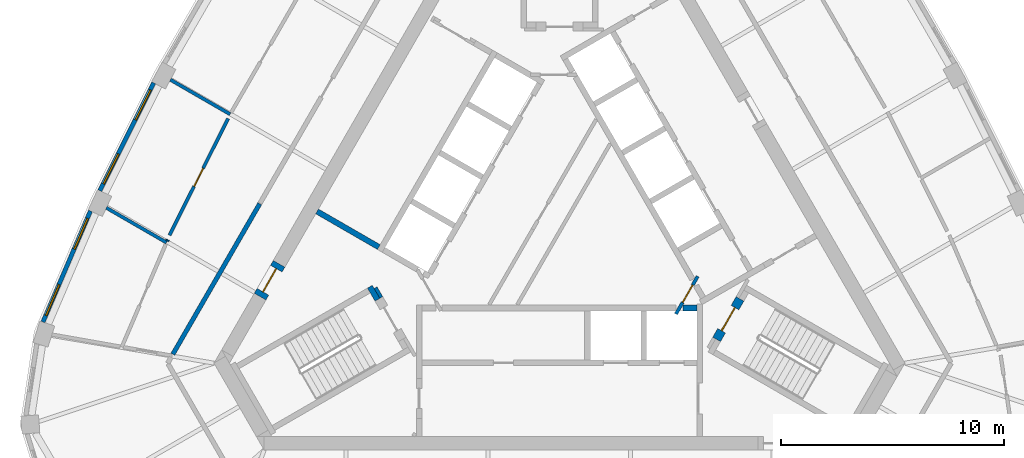
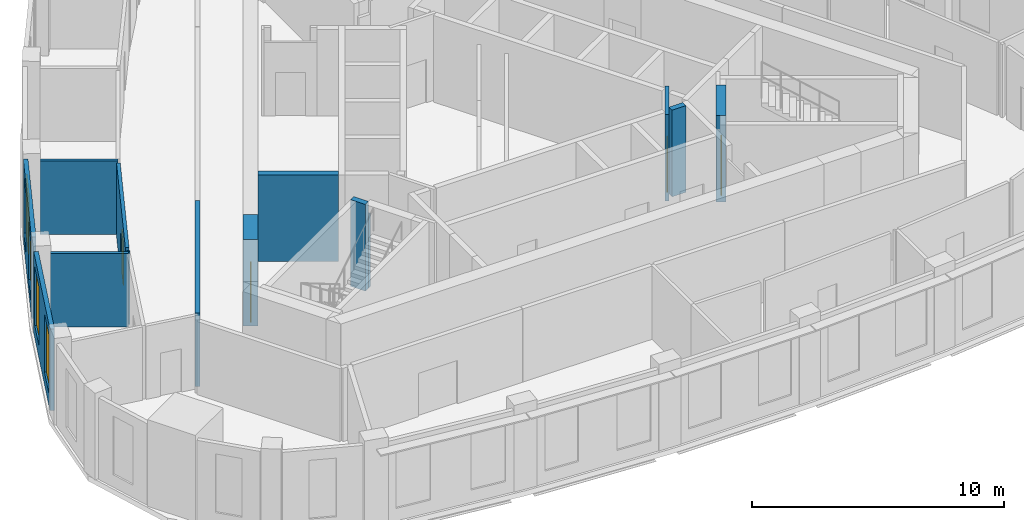
# One storey, part 4 of 10: 14 walls, 4 doors, 4 windows, 8 openings.
"""IFC4 building model written with IfcOpenShell, lengths in metres."""

import ifcopenshell
import ifcopenshell.guid

model = None  # the IFC model being written
_history = None  # IfcOwnerHistory: only IFC2X3 demands one
_inside = {}  # id of a spatial element -> (the spatial element, [elements in it])
_under = {}  # id of a project, library or spatial element -> (it, [spatial elements below it])
_declared = {}  # id of a project -> (the project, [libraries it declares])
_typed = {}  # id of a type object -> (the type object, [elements of that type])
_made_of = {}  # id of a material, layer set ... -> (it, [elements and type objects made of it])


def new_model(schema):
    """Start an empty IFC model of exactly this schema.

    Asked for "IFC4X3", IfcOpenShell would pick the latest addendum, in which some entities
    have other attributes; the version numbers below select the first issue.
    IFC2X3 requires an IfcOwnerHistory on every rooted entity: one is made here for all.
    """
    global model, _history
    if schema == "IFC4X3":
        model = ifcopenshell.file(schema_version=(4, 3, 0, 0))
    else:
        model = ifcopenshell.file(schema=schema)
    _inside.clear()
    _under.clear()
    _declared.clear()
    _typed.clear()
    _made_of.clear()
    _history = None
    if model.schema == "IFC2X3":
        org = make("IfcOrganization", Name="unknown")
        user = make(
            "IfcPersonAndOrganization",
            ThePerson=make("IfcPerson", FamilyName="unknown"),
            TheOrganization=org,
        )
        app = make(
            "IfcApplication",
            ApplicationDeveloper=org,
            Version="unknown",
            ApplicationFullName="unknown",
            ApplicationIdentifier="unknown",
        )
        _history = make(
            "IfcOwnerHistory",
            OwningUser=user,
            OwningApplication=app,
            ChangeAction="ADDED",
            CreationDate=0,
        )
    return model


def make(cls, **values):
    """One entity of the class cls with the attributes given. An attribute that is None is left unset."""
    return model.create_entity(
        cls, **{name: value for name, value in values.items() if value is not None}
    )


def rooted(cls, **values):
    """An entity with a GlobalId (a new one), such as an element, a storey or a relation."""
    return make(cls, GlobalId=ifcopenshell.guid.new(), OwnerHistory=_history, **values)


def si_unit(unit_type, name, prefix=None):
    """IfcSIUnit, for example si_unit("LENGTHUNIT", "METRE", prefix="MILLI")."""
    return make("IfcSIUnit", UnitType=unit_type, Prefix=prefix, Name=name)


def assignment(units):
    """IfcUnitAssignment: the units of a project."""
    return None if units is None else make("IfcUnitAssignment", Units=units)


def point(xyz):
    """IfcCartesianPoint."""
    return None if xyz is None else make("IfcCartesianPoint", Coordinates=xyz)


def direction(xyz):
    """IfcDirection."""
    return None if xyz is None else make("IfcDirection", DirectionRatios=xyz)


def frame(location, z_axis=None, x_axis=None):
    """IfcAxis2Placement3D, a coordinate frame: its origin and axes. An axis left out is left unset."""
    return make(
        "IfcAxis2Placement3D",
        Location=point(location),
        Axis=direction(z_axis),
        RefDirection=direction(x_axis),
    )


def frame_2d(location, x_axis=None):
    """IfcAxis2Placement2D, a coordinate frame in the plane: its origin and x axis."""
    return make(
        "IfcAxis2Placement2D", Location=point(location), RefDirection=direction(x_axis)
    )


def origin():
    """The frame at (0, 0, 0) with its axes left unset."""
    return frame((0.0, 0.0, 0.0))


def place(relative_to, where):
    """IfcLocalPlacement: puts the frame where relative to a parent placement (None: the world)."""
    return make(
        "IfcLocalPlacement", PlacementRelTo=relative_to, RelativePlacement=where
    )


def context(
    kind, dimensions, precision=None, world=None, true_north=None, identifier=None
):
    """IfcGeometricRepresentationContext, for example the 3D "Model" context."""
    return make(
        "IfcGeometricRepresentationContext",
        ContextIdentifier=identifier,
        ContextType=kind,
        CoordinateSpaceDimension=dimensions,
        Precision=precision,
        WorldCoordinateSystem=world,
        TrueNorth=true_north,
    )


def subcontext(parent, identifier, kind, view, scale=None):
    """IfcGeometricRepresentationSubContext, for example "Body" below "Model"."""
    return make(
        "IfcGeometricRepresentationSubContext",
        ContextIdentifier=identifier,
        ContextType=kind,
        ParentContext=parent,
        TargetScale=scale,
        TargetView=view,
    )


def project(units=None, contexts=None):
    """IfcProject with its units and contexts."""
    return rooted(
        "IfcProject",
        Name="project",
        RepresentationContexts=contexts,
        UnitsInContext=assignment(units),
    )


def spatial(cls, under=None, at=None, **own):
    """A site, building, storey or space (cls), placed at a placement, below another one or the project."""
    s = rooted(cls, ObjectPlacement=at, **own)
    if under is not None:
        _under.setdefault(under.id(), (under, []))[1].append(s)
    return s


def profile(cls, at=None, kind="AREA", **sizes):
    """A parametric profile (cls). Its sizes go by their IFC names, for example OverallWidth=200.0."""
    return make(cls, ProfileType=kind, Position=at, **sizes)


def rectangle(**sizes):
    """IfcRectangleProfileDef."""
    return profile("IfcRectangleProfileDef", **sizes)


def extrude(swept, where, along, depth):
    """IfcExtrudedAreaSolid: the profile swept, set in the frame where, extruded along a direction by depth."""
    return make(
        "IfcExtrudedAreaSolid",
        SweptArea=swept,
        Position=where,
        ExtrudedDirection=direction(along),
        Depth=depth,
    )


def shape(context_of_items, identifier, shape_type, items):
    """IfcShapeRepresentation: the items that make up one representation, for example the "Body"."""
    return make(
        "IfcShapeRepresentation",
        ContextOfItems=context_of_items,
        RepresentationIdentifier=identifier,
        RepresentationType=shape_type,
        Items=items,
    )


def material(Name=None, Category=None):
    """IfcMaterial."""
    return make("IfcMaterial", Name=Name, Category=Category)


def layer(
    of_material, thickness, ventilated=None, Name=None, Category=None, Priority=None
):
    """IfcMaterialLayer: one layer of a wall or slab, of a material (None: an air gap)."""
    return make(
        "IfcMaterialLayer",
        Material=of_material,
        LayerThickness=thickness,
        IsVentilated=ventilated,
        Name=Name,
        Category=Category,
        Priority=Priority,
    )


def layer_set(layers, Name=None):
    """IfcMaterialLayerSet."""
    return make("IfcMaterialLayerSet", MaterialLayers=layers, LayerSetName=Name)


def made_of(thing, what):
    """Note that an element or type object is made of a material, layer set ...; save() writes the relation."""
    if what is not None:
        _made_of.setdefault(what.id(), (what, []))[1].append(thing)
    return thing


def type_object(cls, material=None, **own):
    """A type object (cls), such as IfcWallType, which elements share."""
    return made_of(rooted(cls, **own), material)


def element(
    cls,
    number,
    at=None,
    inside=None,
    cuts=None,
    type_object=None,
    material=None,
    context=None,
    identifier="Body",
    shape_type=None,
    held_by="IfcProductDefinitionShape",
    body=None,
    shapes=None,
    **own,
):
    """One element of the class cls, such as IfcWall. Its Tag is "e" and its number.

    at: its placement. inside: the storey or other place that contains it. cuts: it is an
    opening in that element (IfcRelVoidsElement). A single representation is given by context,
    identifier, shape_type and body (its items); several are given by shapes. held_by: the class
    of the entity that holds the representations. save() writes the other relations.
    """
    e = rooted(cls, Tag="e%d" % number, ObjectPlacement=at, **own)
    if body is not None:
        shapes = [shape(context, identifier, shape_type, body)]
    if shapes is not None:
        e.Representation = make(held_by, Representations=shapes)
    if inside is not None:
        _inside.setdefault(inside.id(), (inside, []))[1].append(e)
    if cuts is not None:
        rooted(
            "IfcRelVoidsElement", RelatingBuildingElement=cuts, RelatedOpeningElement=e
        )
    if type_object is not None:
        _typed.setdefault(type_object.id(), (type_object, []))[1].append(e)
    return made_of(e, material)


def fill(opening, filler):
    """IfcRelFillsElement: the door or window that sits in an opening."""
    return rooted(
        "IfcRelFillsElement",
        RelatingOpeningElement=opening,
        RelatedBuildingElement=filler,
    )


def aggregate(whole, parts):
    """IfcRelAggregates: a whole, such as a stair, and the parts it consists of."""
    return rooted("IfcRelAggregates", RelatingObject=whole, RelatedObjects=parts)


def save(model, path):
    """Write the relations noted so far, then the file.

    IfcRelAggregates (storeys below a building ...), IfcRelContainedInSpatialStructure (elements
    in a storey), IfcRelDefinesByType, IfcRelAssociatesMaterial and IfcRelDeclares: one each for
    every whole, place, type object, material and project.
    """
    for whole, parts in _under.values():
        aggregate(whole, parts)
    for where, things in _inside.values():
        rooted(
            "IfcRelContainedInSpatialStructure",
            RelatedElements=things,
            RelatingStructure=where,
        )
    for kind, things in _typed.values():
        rooted("IfcRelDefinesByType", RelatedObjects=things, RelatingType=kind)
    for what, things in _made_of.values():
        rooted("IfcRelAssociatesMaterial", RelatedObjects=things, RelatingMaterial=what)
    for by, libraries in _declared.values():
        rooted("IfcRelDeclares", RelatingContext=by, RelatedDefinitions=libraries)
    model.write(path)


model = new_model("IFC4")

# Units and contexts
model_context = context("Model", 3, precision=1e-05, world=origin(), true_north=direction((0.0, 1.0)))
body_context = subcontext(model_context, "Body", "Model", "MODEL_VIEW")
ifc_project = project(units=[si_unit("LENGTHUNIT", "METRE"), si_unit("AREAUNIT", "SQUARE_METRE"), si_unit("VOLUMEUNIT", "CUBIC_METRE"), si_unit("PLANEANGLEUNIT", "RADIAN"), si_unit("MASSUNIT", "GRAM", prefix="KILO")], contexts=[model_context])

# Site, building, storey
site_placement = place(None, origin())
site = spatial("IfcSite", under=ifc_project, at=site_placement, CompositionType="ELEMENT")
building_placement = place(site_placement, origin())
building = spatial("IfcBuilding", under=site, at=building_placement, Name="Mestral Congress Tower", CompositionType="ELEMENT")
storey_placement = place(building_placement, frame((0.0, 0.0, 300.60009765625)))
storey = spatial("IfcBuildingStorey", under=building, at=storey_placement, Name="L70", CompositionType="ELEMENT", Elevation=300.60009765625)

# Wall
ifc_material_1 = material(Name="Fire-rated board partition")
ifc_layer_1 = layer(ifc_material_1, 0.14990234375)
ifc_layer_set_1 = layer_set([ifc_layer_1], Name="Fire-rated board partition")
wall_type_1 = type_object("IfcWallType", Name="Core partition 150", PredefinedType="PARTITIONING", material=ifc_layer_set_1)
wall_1_placement = place(storey_placement, frame((-8.251953125, -2.958251953125, 0.0), z_axis=(0.0, 0.0, 1.0), x_axis=(0.500174715838, -0.865924508047, 0.0)))
element("IfcWall", 1, at=wall_1_placement, inside=storey, type_object=wall_type_1, Name="L70 core wall", PredefinedType="PARTITIONING", context=body_context, shape_type="SweptSolid", body=[
    extrude(rectangle(XDim=0.513916015625, YDim=0.14990234375, at=frame_2d((0.2568359375, 0.0))), origin(), (0.0, 0.0, 1.0), 3.5498046875),
])

# Wall, opening, door
ifc_material_2 = material(Name="Concrete C60/75", Category="concrete")
ifc_layer_2 = layer(ifc_material_2, 0.60009765625)
ifc_layer_set_2 = layer_set([ifc_layer_2], Name="Concrete C60/75")
wall_type_2 = type_object("IfcWallType", Name="Core wall RC 600", PredefinedType="SOLIDWALL", material=ifc_layer_set_2)
wall_2_placement = place(storey_placement, frame((-13.431640625, -3.3642578125, 0.0), z_axis=(0.0, 0.0, 1.0), x_axis=(0.500062241894, 0.865989465428, 0.0)))
wall_2 = element("IfcWall", 2, at=wall_2_placement, inside=storey, type_object=wall_type_2, Name="L70 door wall", PredefinedType="SOLIDWALL", context=body_context, shape_type="SweptSolid", body=[
    extrude(rectangle(XDim=1.699951171875, YDim=0.60009765625, at=frame_2d((0.85009765625, 0.0))), origin(), (0.0, 0.0, 1.0), 4.199951171875),
])
opening_1_placement = place(wall_2_placement, frame((0.25, 0.0, 0.0)))
opening_1 = element("IfcOpeningElement", 3, at=opening_1_placement, cuts=wall_2, Name="Opening XD3", PredefinedType="OPENING", context=body_context, shape_type="SweptSolid", body=[
    extrude(rectangle(XDim=1.199951171875, YDim=2.10009765625, at=frame_2d((0.60009765625, 1.050048828125))), frame((0.0, 0.31005859375, 0.0), z_axis=(0.0, -1.0, 0.0), x_axis=(1.0, 0.0, 0.0)), (0.0, 0.0, 1.0), 0.6201171875),
])
ifc_material_3 = material(Name="Fire-rated steel door set", Category="steel")
door_type_1 = type_object("IfcDoorType", Name="Core door XD 1200x2100", OperationType="SINGLE_SWING_LEFT", PredefinedType="DOOR", material=ifc_material_3)
door_1_placement = place(opening_1_placement, origin())
door_1 = element("IfcDoor", 4, at=door_1_placement, inside=storey, type_object=door_type_1, Name="Door XD3", OperationType="SINGLE_SWING_LEFT", OverallHeight=2.10009765625, OverallWidth=1.199951171875, PredefinedType="DOOR", context=body_context, shape_type="SweptSolid", body=[
    extrude(rectangle(XDim=1.199951171875, YDim=2.10009765625, at=frame_2d((0.60009765625, 1.050048828125))), frame((0.0, 0.02490234375, 0.0), z_axis=(0.0, -1.0, 0.0), x_axis=(1.0, 0.0, 0.0)), (0.0, 0.0, 1.0), 0.050048828125),
])
fill(opening_1, door_1)

# Wall, openings, windows
ifc_material_4 = material(Name="Precast concrete C40/50 with limestone facing", Category="masonry")
ifc_layer_3 = layer(ifc_material_4, 0.18994140625)
ifc_layer_set_3 = layer_set([ifc_layer_3], Name="Precast concrete C40/50 with limestone facing")
wall_type_3 = type_object("IfcWallType", Name="Facade stone wall 190", PredefinedType="SOLIDWALL", material=ifc_layer_set_3)
wall_3_placement = place(storey_placement, frame((-18.205810546875, 6.226806640625, 0.0), z_axis=(0.0, 0.0, 1.0), x_axis=(-0.447484531401, -0.894291671747, 0.0)))
wall_3 = element("IfcWall", 5, at=wall_3_placement, inside=storey, type_object=wall_type_3, Name="Facade wall F2-03", PredefinedType="SOLIDWALL", context=body_context, shape_type="SweptSolid", body=[
    extrude(rectangle(XDim=5.40625, YDim=0.18994140625, at=frame_2d((2.703125, 0.0))), origin(), (0.0, 0.0, 1.0), 3.949951171875),
])
opening_2_placement = place(wall_3_placement, frame((0.346435546875, 0.0, 0.60009765625)))
opening_2 = element("IfcOpeningElement", 6, at=opening_2_placement, cuts=wall_3, Name="Opening W6", PredefinedType="OPENING", context=body_context, shape_type="SweptSolid", body=[
    extrude(rectangle(XDim=1.5, YDim=2.85009765625, at=frame_2d((0.75, 1.425048828125))), frame((0.0, 0.10498046875, 0.0), z_axis=(0.0, -1.0, 0.0), x_axis=(1.0, 0.0, 0.0)), (0.0, 0.0, 1.0), 0.2099609375),
])
opening_3_placement = place(wall_3_placement, frame((3.559326171875, 0.0, 0.60009765625)))
opening_3 = element("IfcOpeningElement", 7, at=opening_3_placement, cuts=wall_3, Name="Opening W6", PredefinedType="OPENING", context=body_context, shape_type="SweptSolid", body=[
    extrude(rectangle(XDim=1.5, YDim=2.85009765625, at=frame_2d((0.75, 1.425048828125))), frame((0.0, 0.10498046875, 0.0), z_axis=(0.0, -1.0, 0.0), x_axis=(1.0, 0.0, 0.0)), (0.0, 0.0, 1.0), 0.2099609375),
])
ifc_material_5 = material(Name="Clear low-emissivity double glazing", Category="glass")
window_type = type_object("IfcWindowType", Name="Facade punched window 1500 x 2850 sill 600", PartitioningType="SINGLE_PANEL", PredefinedType="WINDOW", material=ifc_material_5)
window_1_placement = place(opening_2_placement, origin())
window_1 = element("IfcWindow", 8, at=window_1_placement, inside=storey, type_object=window_type, Name="Window F2-03a", OverallHeight=2.85009765625, OverallWidth=1.5, PartitioningType="SINGLE_PANEL", PredefinedType="WINDOW", context=body_context, shape_type="SweptSolid", body=[
    extrude(rectangle(XDim=1.5, YDim=2.85009765625, at=frame_2d((0.75, 1.425048828125))), frame((0.0, 0.044921875, 0.0), z_axis=(0.0, -1.0, 0.0), x_axis=(1.0, 0.0, 0.0)), (0.0, 0.0, 1.0), 0.06005859375),
])
fill(opening_2, window_1)
window_2_placement = place(opening_3_placement, origin())
window_2 = element("IfcWindow", 9, at=window_2_placement, inside=storey, type_object=window_type, Name="Window F2-03b", OverallHeight=2.85009765625, OverallWidth=1.5, PartitioningType="SINGLE_PANEL", PredefinedType="WINDOW", context=body_context, shape_type="SweptSolid", body=[
    extrude(rectangle(XDim=1.5, YDim=2.85009765625, at=frame_2d((0.75, 1.425048828125))), frame((0.0, 0.044921875, 0.0), z_axis=(0.0, -1.0, 0.0), x_axis=(1.0, 0.0, 0.0)), (0.0, 0.0, 1.0), 0.06005859375),
])
fill(opening_3, window_2)

wall_4_placement = place(storey_placement, frame((-21.048828125, 0.477783203125, 0.0), z_axis=(0.0, 0.0, 1.0), x_axis=(-0.393347848476, -0.919389726992, 0.0)))
wall_4 = element("IfcWall", 10, at=wall_4_placement, inside=storey, type_object=wall_type_3, Name="Facade wall F2-04", PredefinedType="SOLIDWALL", context=body_context, shape_type="SweptSolid", body=[
    extrude(rectangle(XDim=5.414794921875, YDim=0.18994140625, at=frame_2d((2.70751953125, 0.0))), origin(), (0.0, 0.0, 1.0), 3.949951171875),
])
opening_4_placement = place(wall_4_placement, frame((0.357421875, 0.0, 0.60009765625)))
opening_4 = element("IfcOpeningElement", 11, at=opening_4_placement, cuts=wall_4, Name="Opening W6", PredefinedType="OPENING", context=body_context, shape_type="SweptSolid", body=[
    extrude(rectangle(XDim=1.5, YDim=2.85009765625, at=frame_2d((0.75, 1.425048828125))), frame((0.0, 0.10498046875, 0.0), z_axis=(0.0, -1.0, 0.0), x_axis=(1.0, 0.0, 0.0)), (0.0, 0.0, 1.0), 0.2099609375),
])
opening_5_placement = place(wall_4_placement, frame((3.592529296875, 0.0, 0.60009765625)))
opening_5 = element("IfcOpeningElement", 12, at=opening_5_placement, cuts=wall_4, Name="Opening W6", PredefinedType="OPENING", context=body_context, shape_type="SweptSolid", body=[
    extrude(rectangle(XDim=1.5, YDim=2.85009765625, at=frame_2d((0.75, 1.425048828125))), frame((0.0, 0.10498046875, 0.0), z_axis=(0.0, -1.0, 0.0), x_axis=(1.0, 0.0, 0.0)), (0.0, 0.0, 1.0), 0.2099609375),
])
window_3_placement = place(opening_4_placement, origin())
window_3 = element("IfcWindow", 13, at=window_3_placement, inside=storey, type_object=window_type, Name="Window F2-04a", OverallHeight=2.85009765625, OverallWidth=1.5, PartitioningType="SINGLE_PANEL", PredefinedType="WINDOW", context=body_context, shape_type="SweptSolid", body=[
    extrude(rectangle(XDim=1.5, YDim=2.85009765625, at=frame_2d((0.75, 1.425048828125))), frame((0.0, 0.044921875, 0.0), z_axis=(0.0, -1.0, 0.0), x_axis=(1.0, 0.0, 0.0)), (0.0, 0.0, 1.0), 0.06005859375),
])
fill(opening_4, window_3)
window_4_placement = place(opening_5_placement, origin())
window_4 = element("IfcWindow", 14, at=window_4_placement, inside=storey, type_object=window_type, Name="Window F2-04b", OverallHeight=2.85009765625, OverallWidth=1.5, PartitioningType="SINGLE_PANEL", PredefinedType="WINDOW", context=body_context, shape_type="SweptSolid", body=[
    extrude(rectangle(XDim=1.5, YDim=2.85009765625, at=frame_2d((0.75, 1.425048828125))), frame((0.0, 0.044921875, 0.0), z_axis=(0.0, -1.0, 0.0), x_axis=(1.0, 0.0, 0.0)), (0.0, 0.0, 1.0), 0.06005859375),
])
fill(opening_5, window_4)

# Walls
ifc_material_6 = material(Name="Plasterboard partition on steel studs", Category="steel")
ifc_layer_4 = layer(ifc_material_6, 0.14990234375)
ifc_layer_set_4 = layer_set([ifc_layer_4], Name="Plasterboard partition on steel studs")
wall_type_4 = type_object("IfcWallType", Name="Office partition 150", PredefinedType="PARTITIONING", material=ifc_layer_set_4)
wall_5_placement = place(storey_placement, frame((-14.77734375, 4.821533203125, 0.0), z_axis=(0.0, 0.0, 1.0), x_axis=(-0.865992557167, 0.500056887695, 0.0)))
element("IfcWall", 15, at=wall_5_placement, inside=storey, type_object=wall_type_4, Name="Partition", PredefinedType="PARTITIONING", context=body_context, shape_type="SweptSolid", body=[
    extrude(rectangle(XDim=3.096435546875, YDim=0.14990234375, at=frame_2d((1.54833984375, 0.0))), origin(), (0.0, 0.0, 1.0), 3.5498046875),
])
wall_6_placement = place(storey_placement, frame((-17.634521484375, -0.935546875, 0.0), z_axis=(0.0, 0.0, 1.0), x_axis=(-0.866044607523, 0.499966736674, 0.0)))
element("IfcWall", 16, at=wall_6_placement, inside=storey, type_object=wall_type_4, Name="Partition", PredefinedType="PARTITIONING", context=body_context, shape_type="SweptSolid", body=[
    extrude(rectangle(XDim=3.114501953125, YDim=0.14990234375, at=frame_2d((1.55712890625, 0.0))), origin(), (0.0, 0.0, 1.0), 3.5498046875),
])

# Wall, opening, door
wall_7_placement = place(storey_placement, frame((-17.49658203125, -0.61328125, 0.0), z_axis=(0.0, 0.0, 1.0), x_axis=(0.447480081559, 0.89429389834, 0.0)))
wall_7 = element("IfcWall", 17, at=wall_7_placement, inside=storey, type_object=wall_type_4, Name="Partition", PredefinedType="PARTITIONING", context=body_context, shape_type="SweptSolid", body=[
    extrude(rectangle(XDim=5.86279296875, YDim=0.14990234375, at=frame_2d((2.931396484375, 0.0))), origin(), (0.0, 0.0, 1.0), 3.5498046875),
])
opening_6_placement = place(wall_7_placement, frame((2.463134765625, 0.0, 0.0)))
opening_6 = element("IfcOpeningElement", 18, at=opening_6_placement, cuts=wall_7, Name="Opening O13-015", PredefinedType="OPENING", context=body_context, shape_type="SweptSolid", body=[
    extrude(rectangle(XDim=0.89990234375, YDim=2.10009765625, at=frame_2d((0.449951171875, 1.050048828125))), frame((0.0, 0.0849609375, 0.0), z_axis=(0.0, -1.0, 0.0), x_axis=(1.0, 0.0, 0.0)), (0.0, 0.0, 1.0), 0.169921875),
])
ifc_material_7 = material(Name="Timber door set", Category="wood")
door_type_2 = type_object("IfcDoorType", Name="Office door 900x2100", OperationType="SINGLE_SWING_LEFT", PredefinedType="DOOR", material=ifc_material_7)
door_2_placement = place(opening_6_placement, origin())
door_2 = element("IfcDoor", 19, at=door_2_placement, inside=storey, type_object=door_type_2, Name="Door O13-015", OperationType="SINGLE_SWING_LEFT", OverallHeight=2.10009765625, OverallWidth=0.89990234375, PredefinedType="DOOR", context=body_context, shape_type="SweptSolid", body=[
    extrude(rectangle(XDim=0.89990234375, YDim=2.10009765625, at=frame_2d((0.449951171875, 1.050048828125))), frame((0.0, 0.02490234375, 0.0), z_axis=(0.0, -1.0, 0.0), x_axis=(1.0, 0.0, 0.0)), (0.0, 0.0, 1.0), 0.050048828125),
])
fill(opening_6, door_2)

# Walls
wall_8_placement = place(storey_placement, frame((-17.5810546875, -0.810302734375, 0.0), z_axis=(0.0, 0.0, 1.0), x_axis=(-0.390033474923, -0.92080067791, 0.0)))
element("IfcWall", 20, at=wall_8_placement, inside=storey, type_object=wall_type_4, Name="Partition", PredefinedType="PARTITIONING", context=body_context, shape_type="SweptSolid", body=[
    extrude(rectangle(XDim=0.060791015625, YDim=0.14990234375, at=frame_2d((0.0302734375, 0.0))), origin(), (0.0, 0.0, 1.0), 3.5498046875),
])
ifc_material_8 = material(Name="Dense masonry wall, plastered", Category="masonry")
ifc_layer_5 = layer(ifc_material_8, 0.199951171875)
ifc_layer_set_5 = layer_set([ifc_layer_5], Name="Dense masonry wall, plastered")
wall_type_5 = type_object("IfcWallType", Name="Office tenancy wall 200", PredefinedType="PARTITIONING", material=ifc_layer_set_5)
wall_9_placement = place(storey_placement, frame((-13.45068359375, 0.802978515625, 0.0), z_axis=(0.0, 0.0, 1.0), x_axis=(-0.499979102685, -0.866037468519, 0.0)))
element("IfcWall", 21, at=wall_9_placement, inside=storey, type_object=wall_type_5, Name="Tenancy wall", PredefinedType="PARTITIONING", context=body_context, shape_type="SweptSolid", body=[
    extrude(rectangle(XDim=7.795166015625, YDim=0.199951171875, at=frame_2d((3.8974609375, 0.0))), origin(), (0.0, 0.0, 1.0), 3.5498046875),
])
ifc_layer_6 = layer(ifc_material_2, 0.25)
ifc_layer_set_6 = layer_set([ifc_layer_6], Name="Concrete C60/75")
wall_type_6 = type_object("IfcWallType", Name="Shaft wall RC 250", PredefinedType="SOLIDWALL", material=ifc_layer_set_6)
wall_10_placement = place(storey_placement, frame((5.538330078125, -3.875, 0.0), z_axis=(0.0, 0.0, 1.0), x_axis=(1.0, 0.0, 0.0)))
element("IfcWall", 22, at=wall_10_placement, inside=storey, type_object=wall_type_6, Name="L70 core wall", PredefinedType="SOLIDWALL", context=body_context, shape_type="SweptSolid", body=[
    extrude(rectangle(XDim=0.63671875, YDim=0.25, at=frame_2d((0.318359375, 0.0))), origin(), (0.0, 0.0, 1.0), 4.199951171875),
])
wall_11_placement = place(storey_placement, frame((-8.10595703125, -1.139892578125, 0.0), z_axis=(0.0, 0.0, 1.0), x_axis=(-0.866008981251, 0.500028443584, 0.0)))
element("IfcWall", 23, at=wall_11_placement, inside=storey, type_object=wall_type_6, Name="L70 core wall", PredefinedType="SOLIDWALL", context=body_context, shape_type="SweptSolid", body=[
    extrude(rectangle(XDim=3.199951171875, YDim=0.25, at=frame_2d((1.60009765625, 0.0))), origin(), (0.0, 0.0, 1.0), 4.199951171875),
])

# Wall, opening, door
ifc_layer_7 = layer(ifc_material_2, 0.14990234375)
ifc_layer_set_7 = layer_set([ifc_layer_7], Name="Concrete C60/75")
wall_type_7 = type_object("IfcWallType", Name="Shaft wall RC 250 door-wall 150", PredefinedType="SOLIDWALL", material=ifc_layer_set_7)
wall_12_placement = place(storey_placement, frame((6.203369140625, -2.45556640625, 0.0), z_axis=(0.0, 0.0, 1.0), x_axis=(-0.500043961785, -0.866000020948, 0.0)))
wall_12 = element("IfcWall", 24, at=wall_12_placement, inside=storey, type_object=wall_type_7, Name="L70 door wall", PredefinedType="PARTITIONING", context=body_context, shape_type="SweptSolid", body=[
    extrude(rectangle(XDim=1.949951171875, YDim=0.14990234375, at=frame_2d((0.97509765625, 0.0))), origin(), (0.0, 0.0, 1.0), 4.199951171875),
])
opening_7_placement = place(wall_12_placement, frame((0.449951171875, 0.0, 0.0)))
opening_7 = element("IfcOpeningElement", 25, at=opening_7_placement, cuts=wall_12, Name="Opening CD1-HUB0", PredefinedType="OPENING", context=body_context, shape_type="SweptSolid", body=[
    extrude(rectangle(XDim=0.89990234375, YDim=2.10009765625, at=frame_2d((0.449951171875, 1.050048828125))), frame((0.0, 0.0849609375, 0.0), z_axis=(0.0, -1.0, 0.0), x_axis=(1.0, 0.0, 0.0)), (0.0, 0.0, 1.0), 0.169921875),
])
door_type_3 = type_object("IfcDoorType", Name="Core door CD 900x2100", OperationType="SINGLE_SWING_LEFT", PredefinedType="DOOR", material=ifc_material_3)
door_3_placement = place(opening_7_placement, origin())
door_3 = element("IfcDoor", 26, at=door_3_placement, inside=storey, type_object=door_type_3, Name="Door CD1-HUB0", OperationType="SINGLE_SWING_LEFT", OverallHeight=2.10009765625, OverallWidth=0.89990234375, PredefinedType="DOOR", context=body_context, shape_type="SweptSolid", body=[
    extrude(rectangle(XDim=0.89990234375, YDim=2.10009765625, at=frame_2d((0.449951171875, 1.050048828125))), frame((0.0, 0.02490234375, 0.0), z_axis=(0.0, -1.0, 0.0), x_axis=(1.0, 0.0, 0.0)), (0.0, 0.0, 1.0), 0.050048828125),
])
fill(opening_7, door_3)

# Wall
ifc_layer_8 = layer(ifc_material_2, 0.25)
ifc_layer_set_8 = layer_set([ifc_layer_8], Name="Concrete C60/75")
wall_type_8 = type_object("IfcWallType", Name="Stair wall RC 250", PredefinedType="SOLIDWALL", material=ifc_layer_set_8)
wall_13_placement = place(storey_placement, frame((-8.167724609375, -3.503173828125, 0.0), z_axis=(0.0, 0.0, 1.0), x_axis=(-0.499952099219, 0.866053057547, 0.0)))
element("IfcWall", 27, at=wall_13_placement, inside=storey, type_object=wall_type_8, Name="L70 core wall", PredefinedType="SOLIDWALL", context=body_context, shape_type="SweptSolid", body=[
    extrude(rectangle(XDim=0.6748046875, YDim=0.25, at=frame_2d((0.33740234375, 0.0))), origin(), (0.0, 0.0, 1.0), 4.199951171875),
])

# Wall, opening, door
ifc_layer_9 = layer(ifc_material_2, 0.39990234375)
ifc_layer_set_9 = layer_set([ifc_layer_9], Name="Concrete C60/75")
wall_type_9 = type_object("IfcWallType", Name="Stair wall RC 250 door-wall 400", PredefinedType="SOLIDWALL", material=ifc_layer_set_9)
wall_14_placement = place(storey_placement, frame((7.052734375, -5.2841796875, 0.0), z_axis=(0.0, 0.0, 1.0), x_axis=(0.500078061341, 0.865980330357, 0.0)))
wall_14 = element("IfcWall", 28, at=wall_14_placement, inside=storey, type_object=wall_type_9, Name="L70 door wall", PredefinedType="SOLIDWALL", context=body_context, shape_type="SweptSolid", body=[
    extrude(rectangle(XDim=2.099853515625, YDim=0.39990234375, at=frame_2d((1.0498046875, 0.0))), origin(), (0.0, 0.0, 1.0), 4.199951171875),
])
opening_8_placement = place(wall_14_placement, frame((0.449951171875, 0.0, 0.0)))
opening_8 = element("IfcOpeningElement", 29, at=opening_8_placement, cuts=wall_14, Name="Opening ST-D1", PredefinedType="OPENING", context=body_context, shape_type="SweptSolid", body=[
    extrude(rectangle(XDim=1.199951171875, YDim=2.10009765625, at=frame_2d((0.60009765625, 1.050048828125))), frame((0.0, 0.2099609375, 0.0), z_axis=(0.0, -1.0, 0.0), x_axis=(1.0, 0.0, 0.0)), (0.0, 0.0, 1.0), 0.419921875),
])
door_type_4 = type_object("IfcDoorType", Name="Core door ST 1200x2100", OperationType="SINGLE_SWING_LEFT", PredefinedType="DOOR", material=ifc_material_3)
door_4_placement = place(opening_8_placement, origin())
door_4 = element("IfcDoor", 30, at=door_4_placement, inside=storey, type_object=door_type_4, Name="Door ST-D1", OperationType="SINGLE_SWING_LEFT", OverallHeight=2.10009765625, OverallWidth=1.199951171875, PredefinedType="DOOR", context=body_context, shape_type="SweptSolid", body=[
    extrude(rectangle(XDim=1.199951171875, YDim=2.10009765625, at=frame_2d((0.60009765625, 1.050048828125))), frame((0.0, 0.02490234375, 0.0), z_axis=(0.0, -1.0, 0.0), x_axis=(1.0, 0.0, 0.0)), (0.0, 0.0, 1.0), 0.050048828125),
])
fill(opening_8, door_4)

save(model, "model.ifc")
